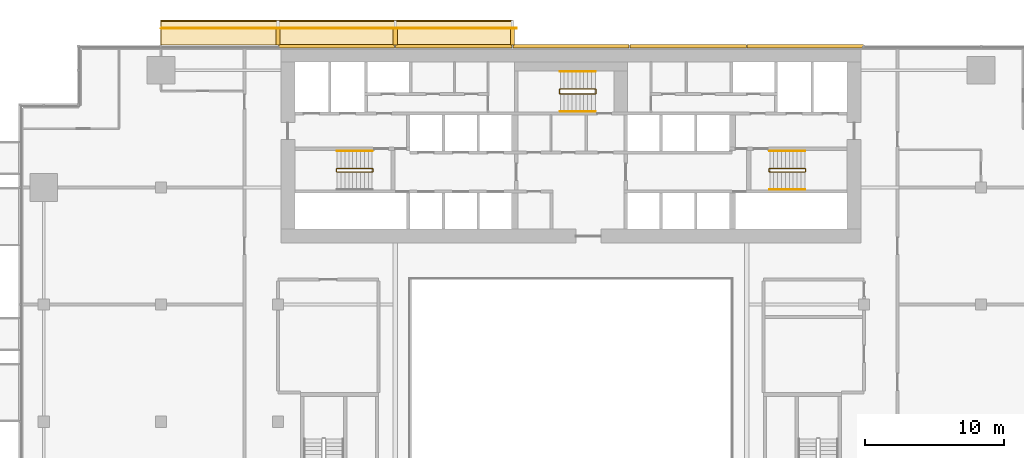
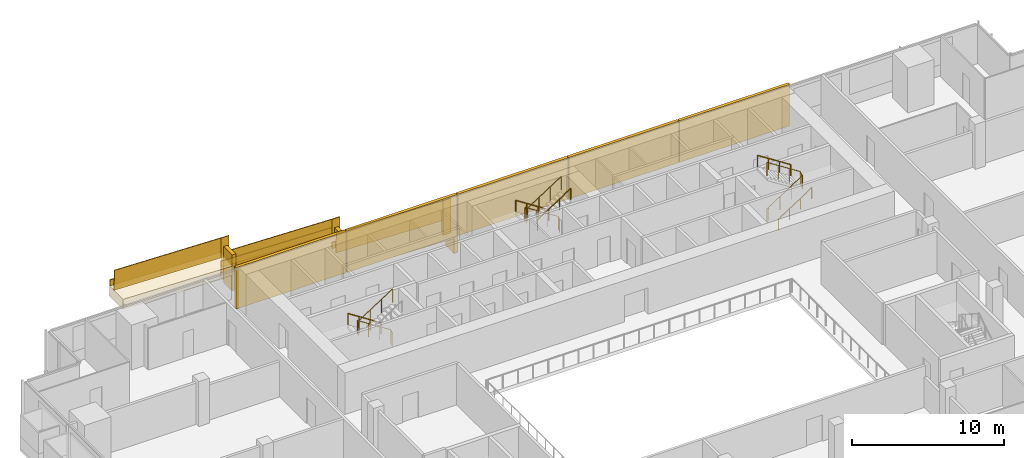
# One storey, part 25 of 26: 14 coverings, 14 railings.
"""IFC4 building model written with IfcOpenShell, lengths in metres."""

from ifc_helpers import new_model, si_unit, direction, frame, origin, origin_2d, place, context, subcontext, project, spatial, polyline, rectangle, circle, outline, extrude, material, layer, layer_set, type_object, element, save


model = new_model("IFC4")

# Units and contexts
model_context = context("Model", 3, precision=1e-05, world=origin(), true_north=direction((0.0, 1.0)))
body_context = subcontext(model_context, "Body", "Model", "MODEL_VIEW")
ifc_project = project(units=[si_unit("LENGTHUNIT", "METRE"), si_unit("AREAUNIT", "SQUARE_METRE"), si_unit("VOLUMEUNIT", "CUBIC_METRE"), si_unit("PLANEANGLEUNIT", "RADIAN"), si_unit("MASSUNIT", "GRAM", prefix="KILO")], contexts=[model_context])

# Site, building, storey
site_placement = place(None, origin())
site = spatial("IfcSite", under=ifc_project, at=site_placement, CompositionType="ELEMENT")
building_placement = place(site_placement, origin())
building = spatial("IfcBuilding", under=site, at=building_placement, Name="Saffron Gate Tower", CompositionType="ELEMENT")
storey_placement = place(building_placement, frame((0.0, 0.0, 102.449951171875)))
storey = spatial("IfcBuildingStorey", under=building, at=storey_placement, Name="L23", CompositionType="ELEMENT", Elevation=102.449951171875)

# Coverings
ifc_material_1 = material(Name="Ceramic-printed bronze insulated panel")
ifc_layer_1 = layer(ifc_material_1, 0.239990234375)
ifc_layer_set_1 = layer_set([ifc_layer_1], Name="CLD2 ceramic-printed cladding panel 240")
covering_type_1 = type_object("IfcCoveringType", Name="CLD2 ceramic-printed cladding panel 240", PredefinedType="CLADDING", material=ifc_layer_set_1)
covering_1_placement = place(storey_placement, origin())
element("IfcCovering", 1, at=covering_1_placement, inside=storey, type_object=covering_type_1, Name="CLADDING ceramic-printed panel", PredefinedType="CLADDING", context=body_context, shape_type="SweptSolid", body=[
    extrude(outline(polyline([(108.56494140625, 75.639892578125), (100.235107421875, 75.639892578125), (100.235107421875, 75.39990234375), (108.56494140625, 75.39990234375), (108.56494140625, 75.639892578125)])), origin(), (0.0, 0.0, 1.0), 3.320068359375),
])
covering_2_placement = place(storey_placement, origin())
element("IfcCovering", 2, at=covering_2_placement, inside=storey, type_object=covering_type_1, Name="CLADDING ceramic-printed panel", PredefinedType="CLADDING", context=body_context, shape_type="SweptSolid", body=[
    extrude(outline(polyline([(100.1650390625, 75.639892578125), (91.8349609375, 75.639892578125), (91.8349609375, 75.39990234375), (100.1650390625, 75.39990234375), (100.1650390625, 75.639892578125)])), origin(), (0.0, 0.0, 1.0), 3.320068359375),
])
covering_3_placement = place(storey_placement, origin())
element("IfcCovering", 3, at=covering_3_placement, inside=storey, type_object=covering_type_1, Name="CLADDING ceramic-printed panel", PredefinedType="CLADDING", context=body_context, shape_type="SweptSolid", body=[
    extrude(outline(polyline([(91.764892578125, 75.639892578125), (83.43505859375, 75.639892578125), (83.43505859375, 75.39990234375), (91.764892578125, 75.39990234375), (91.764892578125, 75.639892578125)])), origin(), (0.0, 0.0, 1.0), 3.320068359375),
])
covering_4_placement = place(storey_placement, origin())
element("IfcCovering", 4, at=covering_4_placement, inside=storey, type_object=covering_type_1, Name="CLADDING ceramic-printed panel", PredefinedType="CLADDING", context=body_context, shape_type="SweptSolid", body=[
    extrude(outline(polyline([(83.364990234375, 75.639892578125), (75.034912109375, 75.639892578125), (75.034912109375, 75.39990234375), (83.364990234375, 75.39990234375), (83.364990234375, 75.639892578125)])), origin(), (0.0, 0.0, 1.0), 3.320068359375),
])
covering_5_placement = place(storey_placement, origin())
element("IfcCovering", 5, at=covering_5_placement, inside=storey, type_object=covering_type_1, Name="CLADDING ceramic-printed panel", PredefinedType="CLADDING", context=body_context, shape_type="SweptSolid", body=[
    extrude(outline(polyline([(74.965087890625, 75.639892578125), (66.635009765625, 75.639892578125), (66.635009765625, 75.39990234375), (74.965087890625, 75.39990234375), (74.965087890625, 75.639892578125)])), origin(), (0.0, 0.0, 1.0), 3.320068359375),
])

# Railings
ifc_material_2 = material(Name="Stainless steel and laminated glass", Category="steel")
railing_type_1 = type_object("IfcRailingType", Name="CR1 Stair guard 1100", PredefinedType="GUARDRAIL", material=ifc_material_2)
railing_1_placement = place(storey_placement, frame((73.39990234375, 66.550048828125, 0.0)))
element("IfcRailing", 6, at=railing_1_placement, inside=storey, type_object=railing_type_1, Name="L23 ST-A stair guard 1", PredefinedType="GUARDRAIL", context=body_context, shape_type="SweptSolid", body=[
    extrude(circle(Radius=0.02392578125, at=origin_2d()), frame((0.0, 0.0, 1.076171875), z_axis=(0.0, 1.0, 0.0), x_axis=(-1.0, 0.0, 0.0)), (0.0, 0.0, 1.0), 0.14990234375),
    extrude(circle(Radius=0.02392578125, at=origin_2d()), frame((0.0, 0.14990234375, 1.076171875), z_axis=(-0.257669022063, 0.258932105505, 0.930892496375), x_axis=(-0.708833529934, -0.705375805398, 0.0)), (0.0, 0.0, 1.0), 0.193359375),
    extrude(circle(Radius=0.02392578125, at=origin_2d()), frame((-0.0498046875, 0.199951171875, 1.255859375), z_axis=(-0.841162588446, 0.0, 0.540782303519), x_axis=(0.0, -1.0, 0.0)), (0.0, 0.0, 1.0), 2.995849609375),
    extrude(circle(Radius=0.02392578125, at=origin_2d()), frame((-2.56982421875, 0.199951171875, 2.8759765625), z_axis=(-0.707106781187, -0.707106781187, 0.0), x_axis=(0.707106781187, -0.707106781187, 0.0)), (0.0, 0.0, 1.0), 0.07080078125),
    extrude(circle(Radius=0.02392578125, at=origin_2d()), frame((-2.619873046875, 0.14990234375, 2.8759765625), z_axis=(0.0, -1.0, 0.0), x_axis=(1.0, 0.0, 0.0)), (0.0, 0.0, 1.0), 0.14990234375),
    extrude(circle(Radius=0.02392578125, at=origin_2d()), frame((-2.619873046875, 0.0, 2.8759765625), z_axis=(0.258847668887, -0.258847668887, 0.930588936439), x_axis=(0.707106781187, 0.707106781187, 0.0)), (0.0, 0.0, 1.0), 0.193359375),
    extrude(circle(Radius=0.02392578125, at=origin_2d()), frame((-2.56982421875, -0.050048828125, 3.05615234375), z_axis=(0.841162588446, 0.0, 0.540782303519), x_axis=(0.0, 1.0, 0.0)), (0.0, 0.0, 1.0), 2.995849609375),
    extrude(circle(Radius=0.02099609375, at=origin_2d()), origin(), (0.0, 0.0, 1.0), 1.052001953125),
    extrude(circle(Radius=0.02099609375, at=origin_2d()), frame((0.0, 0.14990234375, 0.0)), (0.0, 0.0, 1.0), 1.052001953125),
    extrude(circle(Radius=0.02099609375, at=origin_2d()), frame((-0.0498046875, 0.199951171875, 0.179931640625)), (0.0, 0.0, 1.0), 1.052001953125),
    extrude(circle(Radius=0.02099609375, at=origin_2d()), frame((-0.889892578125, 0.199951171875, 0.719970703125)), (0.0, 0.0, 1.0), 1.052001953125),
    extrude(circle(Radius=0.02099609375, at=origin_2d()), frame((-1.729736328125, 0.199951171875, 1.260009765625)), (0.0, 0.0, 1.0), 1.052001953125),
    extrude(circle(Radius=0.02099609375, at=origin_2d()), frame((-2.56982421875, 0.199951171875, 1.800048828125)), (0.0, 0.0, 1.0), 1.052001953125),
    extrude(circle(Radius=0.02099609375, at=origin_2d()), frame((-2.619873046875, 0.14990234375, 1.800048828125)), (0.0, 0.0, 1.0), 1.052001953125),
    extrude(circle(Radius=0.02099609375, at=origin_2d()), frame((-2.619873046875, 0.0, 1.800048828125)), (0.0, 0.0, 1.0), 1.052001953125),
    extrude(circle(Radius=0.02099609375, at=origin_2d()), frame((-2.56982421875, -0.050048828125, 1.97998046875)), (0.0, 0.0, 1.0), 1.052001953125),
    extrude(circle(Radius=0.02099609375, at=origin_2d()), frame((-1.729736328125, -0.050048828125, 2.52001953125)), (0.0, 0.0, 1.0), 1.052001953125),
    extrude(circle(Radius=0.02099609375, at=origin_2d()), frame((-0.889892578125, -0.050048828125, 3.06005859375)), (0.0, 0.0, 1.0), 1.052001953125),
    extrude(circle(Radius=0.02099609375, at=origin_2d()), frame((-0.0498046875, -0.050048828125, 3.60009765625)), (0.0, 0.0, 1.0), 1.052001953125),
])
railing_2_placement = place(storey_placement, frame((101.800048828125, 66.699951171875, 0.0)))
element("IfcRailing", 7, at=railing_2_placement, inside=storey, type_object=railing_type_1, Name="L23 ST-B stair guard 1", PredefinedType="GUARDRAIL", context=body_context, shape_type="SweptSolid", body=[
    extrude(circle(Radius=0.02392578125, at=origin_2d()), frame((0.0, 0.0, 1.076171875), z_axis=(0.0, -1.0, 0.0), x_axis=(1.0, 0.0, 0.0)), (0.0, 0.0, 1.0), 0.14990234375),
    extrude(circle(Radius=0.02392578125, at=origin_2d()), frame((0.0, -0.14990234375, 1.076171875), z_axis=(0.258847668887, -0.258847668887, 0.930588936439), x_axis=(0.707106781187, 0.707106781187, 0.0)), (0.0, 0.0, 1.0), 0.193359375),
    extrude(circle(Radius=0.02392578125, at=origin_2d()), frame((0.050048828125, -0.199951171875, 1.255859375), z_axis=(0.841162588446, 0.0, 0.540782303519), x_axis=(0.0, 1.0, 0.0)), (0.0, 0.0, 1.0), 2.995849609375),
    extrude(circle(Radius=0.02392578125, at=origin_2d()), frame((2.570068359375, -0.199951171875, 2.8759765625), z_axis=(0.705375805398, 0.708833529934, 0.0), x_axis=(-0.708833529934, 0.705375805398, 0.0)), (0.0, 0.0, 1.0), 0.070556640625),
    extrude(circle(Radius=0.02392578125, at=origin_2d()), frame((2.619873046875, -0.14990234375, 2.8759765625), z_axis=(0.0, 1.0, 0.0), x_axis=(-1.0, 0.0, 0.0)), (0.0, 0.0, 1.0), 0.14990234375),
    extrude(circle(Radius=0.02392578125, at=origin_2d()), frame((2.619873046875, 0.0, 2.8759765625), z_axis=(-0.257669022063, 0.258932105505, 0.930892496375), x_axis=(-0.708833529934, -0.705375805398, 0.0)), (0.0, 0.0, 1.0), 0.193359375),
    extrude(circle(Radius=0.02392578125, at=origin_2d()), frame((2.570068359375, 0.050048828125, 3.05615234375), z_axis=(-0.841162588446, 0.0, 0.540782303519), x_axis=(0.0, -1.0, 0.0)), (0.0, 0.0, 1.0), 2.995849609375),
    extrude(circle(Radius=0.02099609375, at=origin_2d()), origin(), (0.0, 0.0, 1.0), 1.052001953125),
    extrude(circle(Radius=0.02099609375, at=origin_2d()), frame((0.0, -0.14990234375, 0.0)), (0.0, 0.0, 1.0), 1.052001953125),
    extrude(circle(Radius=0.02099609375, at=origin_2d()), frame((0.050048828125, -0.199951171875, 0.179931640625)), (0.0, 0.0, 1.0), 1.052001953125),
    extrude(circle(Radius=0.02099609375, at=origin_2d()), frame((0.89013671875, -0.199951171875, 0.719970703125)), (0.0, 0.0, 1.0), 1.052001953125),
    extrude(circle(Radius=0.02099609375, at=origin_2d()), frame((1.72998046875, -0.199951171875, 1.260009765625)), (0.0, 0.0, 1.0), 1.052001953125),
    extrude(circle(Radius=0.02099609375, at=origin_2d()), frame((2.570068359375, -0.199951171875, 1.800048828125)), (0.0, 0.0, 1.0), 1.052001953125),
    extrude(circle(Radius=0.02099609375, at=origin_2d()), frame((2.619873046875, -0.14990234375, 1.800048828125)), (0.0, 0.0, 1.0), 1.052001953125),
    extrude(circle(Radius=0.02099609375, at=origin_2d()), frame((2.619873046875, 0.0, 1.800048828125)), (0.0, 0.0, 1.0), 1.052001953125),
    extrude(circle(Radius=0.02099609375, at=origin_2d()), frame((2.570068359375, 0.050048828125, 1.97998046875)), (0.0, 0.0, 1.0), 1.052001953125),
    extrude(circle(Radius=0.02099609375, at=origin_2d()), frame((1.72998046875, 0.050048828125, 2.52001953125)), (0.0, 0.0, 1.0), 1.052001953125),
    extrude(circle(Radius=0.02099609375, at=origin_2d()), frame((0.89013671875, 0.050048828125, 3.06005859375)), (0.0, 0.0, 1.0), 1.052001953125),
    extrude(circle(Radius=0.02099609375, at=origin_2d()), frame((0.050048828125, 0.050048828125, 3.60009765625)), (0.0, 0.0, 1.0), 1.052001953125),
])
railing_3_placement = place(storey_placement, frame((89.39990234375, 72.14990234375, 0.0)))
element("IfcRailing", 8, at=railing_3_placement, inside=storey, type_object=railing_type_1, Name="L23 ST-C stair guard 1", PredefinedType="GUARDRAIL", context=body_context, shape_type="SweptSolid", body=[
    extrude(circle(Radius=0.02392578125, at=origin_2d()), frame((0.0, 0.0, 1.076171875), z_axis=(0.0, 1.0, 0.0), x_axis=(-1.0, 0.0, 0.0)), (0.0, 0.0, 1.0), 0.25),
    extrude(circle(Radius=0.02392578125, at=origin_2d()), frame((0.0, 0.25, 1.076171875), z_axis=(-0.257669022063, 0.258932105505, 0.930892496375), x_axis=(-0.708833529934, -0.705375805398, 0.0)), (0.0, 0.0, 1.0), 0.193359375),
    extrude(circle(Radius=0.02392578125, at=origin_2d()), frame((-0.0498046875, 0.300048828125, 1.255859375), z_axis=(-0.841162588446, 0.0, 0.540782303519), x_axis=(0.0, -1.0, 0.0)), (0.0, 0.0, 1.0), 2.995849609375),
    extrude(circle(Radius=0.02392578125, at=origin_2d()), frame((-2.56982421875, 0.300048828125, 2.8759765625), z_axis=(-0.707106781187, -0.707106781187, 0.0), x_axis=(0.707106781187, -0.707106781187, 0.0)), (0.0, 0.0, 1.0), 0.07080078125),
    extrude(circle(Radius=0.02392578125, at=origin_2d()), frame((-2.619873046875, 0.25, 2.8759765625), z_axis=(0.0, -1.0, 0.0), x_axis=(1.0, 0.0, 0.0)), (0.0, 0.0, 1.0), 0.25),
    extrude(circle(Radius=0.02392578125, at=origin_2d()), frame((-2.619873046875, 0.0, 2.8759765625), z_axis=(0.258932105505, -0.257669022063, 0.930892496375), x_axis=(0.705375805398, 0.708833529934, 0.0)), (0.0, 0.0, 1.0), 0.193359375),
    extrude(circle(Radius=0.02392578125, at=origin_2d()), frame((-2.56982421875, -0.0498046875, 3.05615234375), z_axis=(0.841162588446, 0.0, 0.540782303519), x_axis=(0.0, 1.0, 0.0)), (0.0, 0.0, 1.0), 2.995849609375),
    extrude(circle(Radius=0.02099609375, at=origin_2d()), origin(), (0.0, 0.0, 1.0), 1.052001953125),
    extrude(circle(Radius=0.02099609375, at=origin_2d()), frame((0.0, 0.25, 0.0)), (0.0, 0.0, 1.0), 1.052001953125),
    extrude(circle(Radius=0.02099609375, at=origin_2d()), frame((-0.0498046875, 0.300048828125, 0.179931640625)), (0.0, 0.0, 1.0), 1.052001953125),
    extrude(circle(Radius=0.02099609375, at=origin_2d()), frame((-0.889892578125, 0.300048828125, 0.719970703125)), (0.0, 0.0, 1.0), 1.052001953125),
    extrude(circle(Radius=0.02099609375, at=origin_2d()), frame((-1.729736328125, 0.300048828125, 1.260009765625)), (0.0, 0.0, 1.0), 1.052001953125),
    extrude(circle(Radius=0.02099609375, at=origin_2d()), frame((-2.56982421875, 0.300048828125, 1.800048828125)), (0.0, 0.0, 1.0), 1.052001953125),
    extrude(circle(Radius=0.02099609375, at=origin_2d()), frame((-2.619873046875, 0.25, 1.800048828125)), (0.0, 0.0, 1.0), 1.052001953125),
    extrude(circle(Radius=0.02099609375, at=origin_2d()), frame((-2.619873046875, 0.0, 1.800048828125)), (0.0, 0.0, 1.0), 1.052001953125),
    extrude(circle(Radius=0.02099609375, at=origin_2d()), frame((-2.56982421875, -0.0498046875, 1.97998046875)), (0.0, 0.0, 1.0), 1.052001953125),
    extrude(circle(Radius=0.02099609375, at=origin_2d()), frame((-1.729736328125, -0.0498046875, 2.52001953125)), (0.0, 0.0, 1.0), 1.052001953125),
    extrude(circle(Radius=0.02099609375, at=origin_2d()), frame((-0.889892578125, -0.0498046875, 3.06005859375)), (0.0, 0.0, 1.0), 1.052001953125),
    extrude(circle(Radius=0.02099609375, at=origin_2d()), frame((-0.0498046875, -0.0498046875, 3.60009765625)), (0.0, 0.0, 1.0), 1.052001953125),
])
ifc_material_3 = material(Name="Stainless steel", Category="steel")
railing_type_2 = type_object("IfcRailingType", Name="CR2 Stair handrail 900", PredefinedType="HANDRAIL", material=ifc_material_3)
railing_4_placement = place(storey_placement, frame((73.35009765625, 68.0, 0.179931640625)))
element("IfcRailing", 9, at=railing_4_placement, inside=storey, type_object=railing_type_2, Name="L23 ST-A stair handrail 1", PredefinedType="HANDRAIL", context=body_context, shape_type="SweptSolid", body=[
    extrude(circle(Radius=0.02392578125, at=origin_2d()), frame((0.0, 0.0, 0.8759765625), z_axis=(-0.841162588446, 0.0, 0.540782303519), x_axis=(0.0, -1.0, 0.0)), (0.0, 0.0, 1.0), 2.995849609375),
    extrude(circle(Radius=0.02099609375, at=origin_2d()), origin(), (0.0, 0.0, 1.0), 0.851806640625),
    extrude(circle(Radius=0.02099609375, at=origin_2d()), frame((-0.840087890625, 0.0, 0.5400390625)), (0.0, 0.0, 1.0), 0.851806640625),
    extrude(circle(Radius=0.02099609375, at=origin_2d()), frame((-1.679931640625, 0.0, 1.080078125)), (0.0, 0.0, 1.0), 0.851806640625),
    extrude(circle(Radius=0.02099609375, at=origin_2d()), frame((-2.52001953125, 0.0, 1.6201171875)), (0.0, 0.0, 1.0), 0.851806640625),
])
railing_5_placement = place(storey_placement, frame((101.85009765625, 65.25, 0.179931640625)))
element("IfcRailing", 10, at=railing_5_placement, inside=storey, type_object=railing_type_2, Name="L23 ST-B stair handrail 1", PredefinedType="HANDRAIL", context=body_context, shape_type="SweptSolid", body=[
    extrude(circle(Radius=0.02392578125, at=origin_2d()), frame((0.0, 0.0, 0.8759765625), z_axis=(0.841162588446, 0.0, 0.540782303519), x_axis=(0.0, 1.0, 0.0)), (0.0, 0.0, 1.0), 2.995849609375),
    extrude(circle(Radius=0.02099609375, at=origin_2d()), origin(), (0.0, 0.0, 1.0), 0.851806640625),
    extrude(circle(Radius=0.02099609375, at=origin_2d()), frame((0.840087890625, 0.0, 0.5400390625)), (0.0, 0.0, 1.0), 0.851806640625),
    extrude(circle(Radius=0.02099609375, at=origin_2d()), frame((1.679931640625, 0.0, 1.080078125)), (0.0, 0.0, 1.0), 0.851806640625),
    extrude(circle(Radius=0.02099609375, at=origin_2d()), frame((2.52001953125, 0.0, 1.6201171875)), (0.0, 0.0, 1.0), 0.851806640625),
])
for number, where, name in (
    (11, (104.3701171875, 68.0, 1.97998046875), "L23 ST-B stair handrail 2"),
    (12, (89.35009765625, 73.699951171875, 0.179931640625), "L23 ST-C stair handrail 1"),
):
    element("IfcRailing", number, at=place(storey_placement, frame(where)), inside=storey, type_object=railing_type_2, Name=name, PredefinedType="HANDRAIL", context=body_context, shape_type="SweptSolid", body=[
        extrude(circle(Radius=0.02392578125, at=origin_2d()), frame((0.0, 0.0, 0.8759765625), z_axis=(-0.841162588446, 0.0, 0.540782303519), x_axis=(0.0, -1.0, 0.0)), (0.0, 0.0, 1.0), 2.995849609375),
        extrude(circle(Radius=0.02099609375, at=origin_2d()), origin(), (0.0, 0.0, 1.0), 0.851806640625),
        extrude(circle(Radius=0.02099609375, at=origin_2d()), frame((-0.840087890625, 0.0, 0.5400390625)), (0.0, 0.0, 1.0), 0.851806640625),
        extrude(circle(Radius=0.02099609375, at=origin_2d()), frame((-1.679931640625, 0.0, 1.080078125)), (0.0, 0.0, 1.0), 0.851806640625),
        extrude(circle(Radius=0.02099609375, at=origin_2d()), frame((-2.52001953125, 0.0, 1.6201171875)), (0.0, 0.0, 1.0), 0.851806640625),
    ])
railing_6_placement = place(storey_placement, frame((86.830078125, 70.85009765625, 1.97998046875)))
element("IfcRailing", 13, at=railing_6_placement, inside=storey, type_object=railing_type_2, Name="L23 ST-C stair handrail 2", PredefinedType="HANDRAIL", context=body_context, shape_type="SweptSolid", body=[
    extrude(circle(Radius=0.02392578125, at=origin_2d()), frame((0.0, 0.0, 0.8759765625), z_axis=(0.841162588446, 0.0, 0.540782303519), x_axis=(0.0, 1.0, 0.0)), (0.0, 0.0, 1.0), 2.995849609375),
    extrude(circle(Radius=0.02099609375, at=origin_2d()), origin(), (0.0, 0.0, 1.0), 0.851806640625),
    extrude(circle(Radius=0.02099609375, at=origin_2d()), frame((0.840087890625, 0.0, 0.5400390625)), (0.0, 0.0, 1.0), 0.851806640625),
    extrude(circle(Radius=0.02099609375, at=origin_2d()), frame((1.679931640625, 0.0, 1.080078125)), (0.0, 0.0, 1.0), 0.851806640625),
    extrude(circle(Radius=0.02099609375, at=origin_2d()), frame((2.52001953125, 0.0, 1.6201171875)), (0.0, 0.0, 1.0), 0.851806640625),
])

# Coverings
ifc_material_4 = material(Name="Timber, thermally modified ash", Category="wood")
ifc_layer_2 = layer(ifc_material_4, 0.800048828125)
ifc_layer_set_2 = layer_set([ifc_layer_2], Name="LD1 ledge timber")
covering_type_2 = type_object("IfcCoveringType", Name="LD1 ledge timber", PredefinedType="CLADDING", material=ifc_layer_set_2)
for number, where, z_axis, x_axis, name in (
    (14, (83.39990234375, 75.60009765625, 0.499755859375), (0.028791175352, 0.0, 0.999585448184), (-0.999585448184, 0.0, 0.028791175352), "LEDGE"),
    (15, (75.0, 75.60009765625, 1.94189453125), (0.028791175352, 0.0, 0.999585448184), (-0.999585448184, 0.0, 0.028791175352), "LEDGE"),
):
    element("IfcCovering", number, at=place(storey_placement, frame(where, z_axis=z_axis, x_axis=x_axis)), inside=storey, type_object=covering_type_2, Name=name, PredefinedType="CLADDING", context=body_context, shape_type="SweptSolid", body=[
        extrude(outline(polyline([(0.0, 0.0), (8.403385982666892, 0.0), (8.403385982666892, -1.7998046875), (0.0, -1.7998046875), (0.0, 0.0)])), origin(), (0.0, 0.0, -1.0), 0.800048828125),
    ])
covering_6_placement = place(storey_placement, frame((66.60009765625, 75.60009765625, 3.38427734375), z_axis=(0.028790339263, 0.0, 0.999585472266), x_axis=(-0.999585472266, 0.0, 0.028790339263)))
element("IfcCovering", 16, at=covering_6_placement, inside=storey, type_object=covering_type_2, Name="LEDGE", PredefinedType="CLADDING", context=body_context, shape_type="SweptSolid", body=[
    extrude(outline(polyline([(0.0, 0.0), (8.403630022085892, 0.0), (8.403630022085892, -1.7998046875), (0.0, -1.7998046875), (0.0, 0.0)])), origin(), (0.0, 0.0, -1.0), 0.800048828125),
])
ifc_layer_3 = layer(ifc_material_4, 0.080078125)
ifc_layer_set_3 = layer_set([ifc_layer_3], Name="LD2 ledge planter trough")
covering_type_3 = type_object("IfcCoveringType", Name="LD2 ledge planter trough", PredefinedType="CLADDING", material=ifc_layer_set_3)
for number, where, z_axis, x_axis, name in (
    (17, (83.39990234375, 77.39990234375, 0.499755859375), (0.0, 1.0, 0.0), (-0.999585448184, 0.0, 0.028791175352), "LEDGE planter trough"),
    (18, (75.0, 77.39990234375, 1.94189453125), (0.0, 1.0, 0.0), (-0.999585448184, 0.0, 0.028791175352), "LEDGE planter trough"),
):
    element("IfcCovering", number, at=place(storey_placement, frame(where, z_axis=z_axis, x_axis=x_axis)), inside=storey, type_object=covering_type_3, Name=name, PredefinedType="CLADDING", context=body_context, shape_type="SweptSolid", body=[
        extrude(outline(polyline([(0.0, 0.0), (8.403385982666892, 0.0), (8.417781570342743, 0.49979272409216496), (0.014395587675851172, 0.4997927240921649), (0.0, 0.0)])), origin(), (0.0, 0.0, -1.0), 0.080078125),
    ])
covering_7_placement = place(storey_placement, frame((66.60009765625, 77.39990234375, 3.38427734375), z_axis=(0.0, 1.0, 0.0), x_axis=(-0.999585472266, 0.0, 0.028790339263)))
element("IfcCovering", 19, at=covering_7_placement, inside=storey, type_object=covering_type_3, Name="LEDGE planter trough", PredefinedType="CLADDING", context=body_context, shape_type="SweptSolid", body=[
    extrude(outline(polyline([(0.0, 0.0), (8.403630022085892, 0.0), (8.418025191717298, 0.4997927361329725), (0.014395169631405694, 0.4997927361329725), (0.0, 0.0)])), origin(), (0.0, 0.0, -1.0), 0.080078125),
])
ifc_layer_4 = layer(ifc_material_4, 0.300048828125)
ifc_layer_set_4 = layer_set([ifc_layer_4], Name="LD3 ledge riser fin")
covering_type_4 = type_object("IfcCoveringType", Name="LD3 ledge riser fin", PredefinedType="CLADDING", material=ifc_layer_set_4)
for number, where, z_axis, x_axis, name in (
    (20, (83.39990234375, 76.159912109375, -1.500732421875), (0.0, 0.0, 1.0), (-1.0, 0.0, 0.0), "LEDGE riser fin"),
    (21, (75.0, 76.159912109375, -0.058349609375), (0.0, 0.0, 1.0), (-1.0, 0.0, 0.0), "LEDGE riser fin"),
    (22, (66.60009765625, 76.159912109375, 1.384033203125), (0.0, 0.0, 1.0), (-1.0, 0.0, 0.0), "LEDGE riser fin"),
):
    element("IfcCovering", number, at=place(storey_placement, frame(where, z_axis=z_axis, x_axis=x_axis)), inside=storey, type_object=covering_type_4, Name=name, PredefinedType="CLADDING", context=body_context, shape_type="SweptSolid", body=[
        extrude(rectangle(XDim=0.300048828125, YDim=1.1201171875, at=origin_2d()), origin(), (0.0, 0.0, 1.0), 2.900390625),
    ])

# Railings
railing_type_3 = type_object("IfcRailingType", Name="LG1 ledge balustrade", PredefinedType="BALUSTRADE", material=ifc_material_4)
railing_7_placement = place(storey_placement, frame((83.39990234375, 76.800048828125, 0.499755859375)))
element("IfcRailing", 23, at=railing_7_placement, inside=storey, type_object=railing_type_3, Name="LEDGE BALUSTRADE", PredefinedType="BALUSTRADE", context=body_context, shape_type="SweptSolid", body=[
    extrude(rectangle(XDim=0.06005859375, YDim=1.60009765625, at=origin_2d()), frame((0.0, 0.0, 0.800048828125), z_axis=(-0.999585448184, 0.0, 0.028791175352), x_axis=(0.0, -1.0, 0.0)), (0.0, 0.0, 1.0), 8.4033203125),
])
railing_8_placement = place(storey_placement, frame((83.699951171875, 76.800048828125, -0.70068359375)))
element("IfcRailing", 24, at=railing_8_placement, inside=storey, type_object=railing_type_3, Name="LEDGE BALUSTRADE", PredefinedType="BALUSTRADE", context=body_context, shape_type="SweptSolid", body=[
    extrude(rectangle(XDim=0.06005859375, YDim=2.80029296875, at=origin_2d()), frame((0.0, 0.0, 1.400146484375), z_axis=(-1.0, 0.0, 0.0), x_axis=(0.0, -1.0, 0.0)), (0.0, 0.0, 1.0), 0.599853515625),
])
railing_9_placement = place(storey_placement, frame((75.0, 76.800048828125, 1.94189453125)))
element("IfcRailing", 25, at=railing_9_placement, inside=storey, type_object=railing_type_3, Name="LEDGE BALUSTRADE", PredefinedType="BALUSTRADE", context=body_context, shape_type="SweptSolid", body=[
    extrude(rectangle(XDim=0.06005859375, YDim=1.60009765625, at=origin_2d()), frame((0.0, 0.0, 0.800048828125), z_axis=(-0.999585448184, 0.0, 0.028791175352), x_axis=(0.0, -1.0, 0.0)), (0.0, 0.0, 1.0), 8.4033203125),
])
railing_10_placement = place(storey_placement, frame((75.300048828125, 76.800048828125, 0.74169921875)))
element("IfcRailing", 26, at=railing_10_placement, inside=storey, type_object=railing_type_3, Name="LEDGE BALUSTRADE", PredefinedType="BALUSTRADE", context=body_context, shape_type="SweptSolid", body=[
    extrude(rectangle(XDim=0.06005859375, YDim=2.80029296875, at=origin_2d()), frame((0.0, 0.0, 1.400146484375), z_axis=(-1.0, 0.0, 0.0), x_axis=(0.0, -1.0, 0.0)), (0.0, 0.0, 1.0), 0.60009765625),
])
railing_11_placement = place(storey_placement, frame((66.60009765625, 76.800048828125, 3.38427734375)))
element("IfcRailing", 27, at=railing_11_placement, inside=storey, type_object=railing_type_3, Name="LEDGE BALUSTRADE", PredefinedType="BALUSTRADE", context=body_context, shape_type="SweptSolid", body=[
    extrude(rectangle(XDim=0.06005859375, YDim=1.60009765625, at=origin_2d()), frame((0.0, 0.0, 0.800048828125), z_axis=(-0.999585472266, 0.0, 0.028790339263), x_axis=(0.0, -1.0, 0.0)), (0.0, 0.0, 1.0), 8.403564453125),
])
railing_12_placement = place(storey_placement, frame((66.89990234375, 76.800048828125, 2.183837890625)))
element("IfcRailing", 28, at=railing_12_placement, inside=storey, type_object=railing_type_3, Name="LEDGE BALUSTRADE", PredefinedType="BALUSTRADE", context=body_context, shape_type="SweptSolid", body=[
    extrude(rectangle(XDim=0.06005859375, YDim=2.80029296875, at=origin_2d()), frame((0.0, 0.0, 1.400146484375), z_axis=(-1.0, 0.0, 0.0), x_axis=(0.0, -1.0, 0.0)), (0.0, 0.0, 1.0), 0.599853515625),
])

save(model, "model.ifc")
